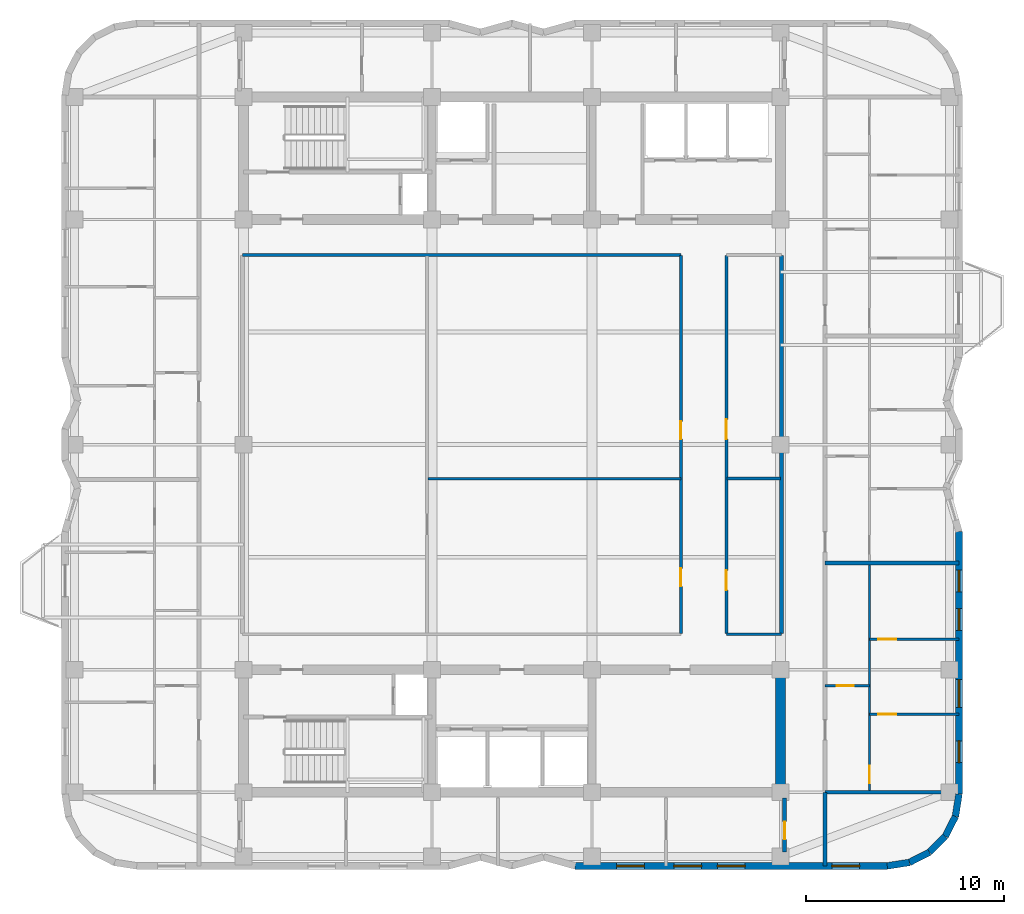
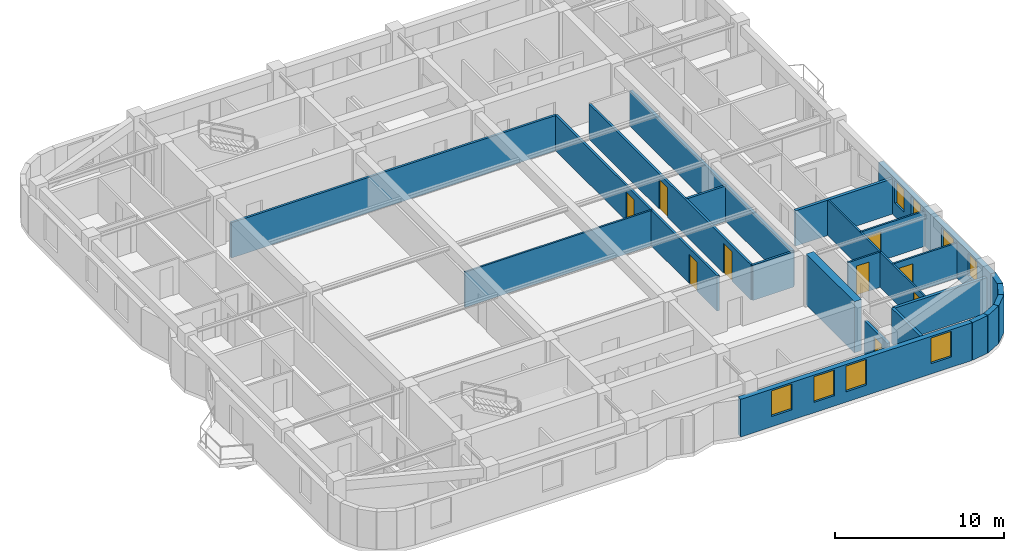
# One storey, part 4 of 9: 23 walls, 9 doors, 8 windows, 17 openings.
"""IFC4 building model written with IfcOpenShell, lengths in metres."""

import ifcopenshell
import ifcopenshell.guid

model = None  # the IFC model being written
_history = None  # IfcOwnerHistory: only IFC2X3 demands one
_inside = {}  # id of a spatial element -> (the spatial element, [elements in it])
_under = {}  # id of a project, library or spatial element -> (it, [spatial elements below it])
_declared = {}  # id of a project -> (the project, [libraries it declares])
_typed = {}  # id of a type object -> (the type object, [elements of that type])
_made_of = {}  # id of a material, layer set ... -> (it, [elements and type objects made of it])


def new_model(schema):
    """Start an empty IFC model of exactly this schema.

    Asked for "IFC4X3", IfcOpenShell would pick the latest addendum, in which some entities
    have other attributes; the version numbers below select the first issue.
    IFC2X3 requires an IfcOwnerHistory on every rooted entity: one is made here for all.
    """
    global model, _history
    if schema == "IFC4X3":
        model = ifcopenshell.file(schema_version=(4, 3, 0, 0))
    else:
        model = ifcopenshell.file(schema=schema)
    _inside.clear()
    _under.clear()
    _declared.clear()
    _typed.clear()
    _made_of.clear()
    _history = None
    if model.schema == "IFC2X3":
        org = make("IfcOrganization", Name="unknown")
        user = make(
            "IfcPersonAndOrganization",
            ThePerson=make("IfcPerson", FamilyName="unknown"),
            TheOrganization=org,
        )
        app = make(
            "IfcApplication",
            ApplicationDeveloper=org,
            Version="unknown",
            ApplicationFullName="unknown",
            ApplicationIdentifier="unknown",
        )
        _history = make(
            "IfcOwnerHistory",
            OwningUser=user,
            OwningApplication=app,
            ChangeAction="ADDED",
            CreationDate=0,
        )
    return model


def make(cls, **values):
    """One entity of the class cls with the attributes given. An attribute that is None is left unset."""
    return model.create_entity(
        cls, **{name: value for name, value in values.items() if value is not None}
    )


def rooted(cls, **values):
    """An entity with a GlobalId (a new one), such as an element, a storey or a relation."""
    return make(cls, GlobalId=ifcopenshell.guid.new(), OwnerHistory=_history, **values)


def si_unit(unit_type, name, prefix=None):
    """IfcSIUnit, for example si_unit("LENGTHUNIT", "METRE", prefix="MILLI")."""
    return make("IfcSIUnit", UnitType=unit_type, Prefix=prefix, Name=name)


def assignment(units):
    """IfcUnitAssignment: the units of a project."""
    return None if units is None else make("IfcUnitAssignment", Units=units)


def point(xyz):
    """IfcCartesianPoint."""
    return None if xyz is None else make("IfcCartesianPoint", Coordinates=xyz)


def direction(xyz):
    """IfcDirection."""
    return None if xyz is None else make("IfcDirection", DirectionRatios=xyz)


def frame(location, z_axis=None, x_axis=None):
    """IfcAxis2Placement3D, a coordinate frame: its origin and axes. An axis left out is left unset."""
    return make(
        "IfcAxis2Placement3D",
        Location=point(location),
        Axis=direction(z_axis),
        RefDirection=direction(x_axis),
    )


def frame_2d(location, x_axis=None):
    """IfcAxis2Placement2D, a coordinate frame in the plane: its origin and x axis."""
    return make(
        "IfcAxis2Placement2D", Location=point(location), RefDirection=direction(x_axis)
    )


def origin():
    """The frame at (0, 0, 0) with its axes left unset."""
    return frame((0.0, 0.0, 0.0))


def place(relative_to, where):
    """IfcLocalPlacement: puts the frame where relative to a parent placement (None: the world)."""
    return make(
        "IfcLocalPlacement", PlacementRelTo=relative_to, RelativePlacement=where
    )


def context(
    kind, dimensions, precision=None, world=None, true_north=None, identifier=None
):
    """IfcGeometricRepresentationContext, for example the 3D "Model" context."""
    return make(
        "IfcGeometricRepresentationContext",
        ContextIdentifier=identifier,
        ContextType=kind,
        CoordinateSpaceDimension=dimensions,
        Precision=precision,
        WorldCoordinateSystem=world,
        TrueNorth=true_north,
    )


def subcontext(parent, identifier, kind, view, scale=None):
    """IfcGeometricRepresentationSubContext, for example "Body" below "Model"."""
    return make(
        "IfcGeometricRepresentationSubContext",
        ContextIdentifier=identifier,
        ContextType=kind,
        ParentContext=parent,
        TargetScale=scale,
        TargetView=view,
    )


def project(units=None, contexts=None):
    """IfcProject with its units and contexts."""
    return rooted(
        "IfcProject",
        Name="project",
        RepresentationContexts=contexts,
        UnitsInContext=assignment(units),
    )


def spatial(cls, under=None, at=None, **own):
    """A site, building, storey or space (cls), placed at a placement, below another one or the project."""
    s = rooted(cls, ObjectPlacement=at, **own)
    if under is not None:
        _under.setdefault(under.id(), (under, []))[1].append(s)
    return s


def profile(cls, at=None, kind="AREA", **sizes):
    """A parametric profile (cls). Its sizes go by their IFC names, for example OverallWidth=200.0."""
    return make(cls, ProfileType=kind, Position=at, **sizes)


def rectangle(**sizes):
    """IfcRectangleProfileDef."""
    return profile("IfcRectangleProfileDef", **sizes)


def extrude(swept, where, along, depth):
    """IfcExtrudedAreaSolid: the profile swept, set in the frame where, extruded along a direction by depth."""
    return make(
        "IfcExtrudedAreaSolid",
        SweptArea=swept,
        Position=where,
        ExtrudedDirection=direction(along),
        Depth=depth,
    )


def shape(context_of_items, identifier, shape_type, items):
    """IfcShapeRepresentation: the items that make up one representation, for example the "Body"."""
    return make(
        "IfcShapeRepresentation",
        ContextOfItems=context_of_items,
        RepresentationIdentifier=identifier,
        RepresentationType=shape_type,
        Items=items,
    )


def material(Name=None, Category=None):
    """IfcMaterial."""
    return make("IfcMaterial", Name=Name, Category=Category)


def layer(
    of_material, thickness, ventilated=None, Name=None, Category=None, Priority=None
):
    """IfcMaterialLayer: one layer of a wall or slab, of a material (None: an air gap)."""
    return make(
        "IfcMaterialLayer",
        Material=of_material,
        LayerThickness=thickness,
        IsVentilated=ventilated,
        Name=Name,
        Category=Category,
        Priority=Priority,
    )


def layer_set(layers, Name=None):
    """IfcMaterialLayerSet."""
    return make("IfcMaterialLayerSet", MaterialLayers=layers, LayerSetName=Name)


def made_of(thing, what):
    """Note that an element or type object is made of a material, layer set ...; save() writes the relation."""
    if what is not None:
        _made_of.setdefault(what.id(), (what, []))[1].append(thing)
    return thing


def type_object(cls, material=None, **own):
    """A type object (cls), such as IfcWallType, which elements share."""
    return made_of(rooted(cls, **own), material)


def element(
    cls,
    number,
    at=None,
    inside=None,
    cuts=None,
    type_object=None,
    material=None,
    context=None,
    identifier="Body",
    shape_type=None,
    held_by="IfcProductDefinitionShape",
    body=None,
    shapes=None,
    **own,
):
    """One element of the class cls, such as IfcWall. Its Tag is "e" and its number.

    at: its placement. inside: the storey or other place that contains it. cuts: it is an
    opening in that element (IfcRelVoidsElement). A single representation is given by context,
    identifier, shape_type and body (its items); several are given by shapes. held_by: the class
    of the entity that holds the representations. save() writes the other relations.
    """
    e = rooted(cls, Tag="e%d" % number, ObjectPlacement=at, **own)
    if body is not None:
        shapes = [shape(context, identifier, shape_type, body)]
    if shapes is not None:
        e.Representation = make(held_by, Representations=shapes)
    if inside is not None:
        _inside.setdefault(inside.id(), (inside, []))[1].append(e)
    if cuts is not None:
        rooted(
            "IfcRelVoidsElement", RelatingBuildingElement=cuts, RelatedOpeningElement=e
        )
    if type_object is not None:
        _typed.setdefault(type_object.id(), (type_object, []))[1].append(e)
    return made_of(e, material)


def fill(opening, filler):
    """IfcRelFillsElement: the door or window that sits in an opening."""
    return rooted(
        "IfcRelFillsElement",
        RelatingOpeningElement=opening,
        RelatedBuildingElement=filler,
    )


def aggregate(whole, parts):
    """IfcRelAggregates: a whole, such as a stair, and the parts it consists of."""
    return rooted("IfcRelAggregates", RelatingObject=whole, RelatedObjects=parts)


def save(model, path):
    """Write the relations noted so far, then the file.

    IfcRelAggregates (storeys below a building ...), IfcRelContainedInSpatialStructure (elements
    in a storey), IfcRelDefinesByType, IfcRelAssociatesMaterial and IfcRelDeclares: one each for
    every whole, place, type object, material and project.
    """
    for whole, parts in _under.values():
        aggregate(whole, parts)
    for where, things in _inside.values():
        rooted(
            "IfcRelContainedInSpatialStructure",
            RelatedElements=things,
            RelatingStructure=where,
        )
    for kind, things in _typed.values():
        rooted("IfcRelDefinesByType", RelatedObjects=things, RelatingType=kind)
    for what, things in _made_of.values():
        rooted("IfcRelAssociatesMaterial", RelatedObjects=things, RelatingMaterial=what)
    for by, libraries in _declared.values():
        rooted("IfcRelDeclares", RelatingContext=by, RelatedDefinitions=libraries)
    model.write(path)


model = new_model("IFC4")

# Units and contexts
model_context = context("Model", 3, precision=1e-05, world=origin(), true_north=direction((0.0, 1.0)))
body_context = subcontext(model_context, "Body", "Model", "MODEL_VIEW")
ifc_project = project(units=[si_unit("LENGTHUNIT", "METRE"), si_unit("AREAUNIT", "SQUARE_METRE"), si_unit("VOLUMEUNIT", "CUBIC_METRE"), si_unit("PLANEANGLEUNIT", "RADIAN"), si_unit("MASSUNIT", "GRAM", prefix="KILO")], contexts=[model_context])

# Site, building, storey
site_placement = place(None, origin())
site = spatial("IfcSite", under=ifc_project, at=site_placement, CompositionType="ELEMENT")
building_placement = place(site_placement, origin())
building = spatial("IfcBuilding", under=site, at=building_placement, Name="Svetorya Sky Lyceum", CompositionType="ELEMENT")
storey_placement = place(building_placement, frame((0.0, 0.0, 211.0)))
storey = spatial("IfcBuildingStorey", under=building, at=storey_placement, Name="L52", CompositionType="ELEMENT", Elevation=211.0)

# Wall
ifc_material_1 = material(Name="Concrete C50/60", Category="concrete")
ifc_layer_1 = layer(ifc_material_1, 0.5)
ifc_layer_set_1 = layer_set([ifc_layer_1], Name="Concrete C50/60")
wall_type_1 = type_object("IfcWallType", Name="WL-CORE-500", PredefinedType="SHEAR", material=ifc_layer_set_1)
wall_1_placement = place(storey_placement, frame((52.800048828125, 10.85009765625, 0.0), z_axis=(0.0, 0.0, 1.0), x_axis=(0.0, 1.0, 0.0)))
element("IfcWall", 1, at=wall_1_placement, inside=storey, type_object=wall_type_1, Name="L52 SC East Core Shear Wall", PredefinedType="SHEAR", context=body_context, shape_type="SweptSolid", body=[
    extrude(rectangle(XDim=5.699951171875, YDim=0.5, at=frame_2d((2.85009765625, 0.0))), origin(), (0.0, 0.0, 1.0), 3.699951171875),
])

# Wall, openings, windows
ifc_material_2 = material(Name="Putilovo limestone rainscreen on autoclaved cellular masonry", Category="masonry")
ifc_layer_2 = layer(ifc_material_2, 0.340087890625)
ifc_layer_set_2 = layer_set([ifc_layer_2], Name="Putilovo limestone rainscreen on autoclaved cellular masonry")
wall_type_2 = type_object("IfcWallType", Name="WL-EXT-340", PredefinedType="SOLIDWALL", material=ifc_layer_set_2)
wall_2_placement = place(storey_placement, frame((42.39990234375, 6.8701171875, 0.0), z_axis=(0.0, 0.0, 1.0), x_axis=(1.0, 0.0, 0.0)))
wall_2 = element("IfcWall", 2, at=wall_2_placement, inside=storey, type_object=wall_type_2, Name="L52 Limestone Exterior Wall 11M", PredefinedType="SOLIDWALL", context=body_context, shape_type="SweptSolid", body=[
    extrude(rectangle(XDim=15.800048828125, YDim=0.340087890625, at=frame_2d((7.89990234375, 0.0))), origin(), (0.0, 0.0, 1.0), 2.719970703125),
])
opening_1_placement = place(wall_2_placement, frame((2.10009765625, 0.0, 0.75)))
opening_1 = element("IfcOpeningElement", 3, at=opening_1_placement, cuts=wall_2, Name="Opening W-R2", PredefinedType="OPENING", context=body_context, shape_type="SweptSolid", body=[
    extrude(rectangle(XDim=1.39990234375, YDim=1.85009765625, at=frame_2d((0.699951171875, 0.925048828125))), frame((0.0, 0.179931640625, 0.0), z_axis=(0.0, -1.0, 0.0), x_axis=(1.0, 0.0, 0.0)), (0.0, 0.0, 1.0), 0.360107421875),
])
opening_2_placement = place(wall_2_placement, frame((5.0, 0.0, 0.75)))
opening_2 = element("IfcOpeningElement", 4, at=opening_2_placement, cuts=wall_2, Name="Opening W-R2", PredefinedType="OPENING", context=body_context, shape_type="SweptSolid", body=[
    extrude(rectangle(XDim=1.39990234375, YDim=1.85009765625, at=frame_2d((0.699951171875, 0.925048828125))), frame((0.0, 0.179931640625, 0.0), z_axis=(0.0, -1.0, 0.0), x_axis=(1.0, 0.0, 0.0)), (0.0, 0.0, 1.0), 0.360107421875),
])
opening_3_placement = place(wall_2_placement, frame((7.199951171875, 0.0, 0.75)))
opening_3 = element("IfcOpeningElement", 5, at=opening_3_placement, cuts=wall_2, Name="Opening W-R2", PredefinedType="OPENING", context=body_context, shape_type="SweptSolid", body=[
    extrude(rectangle(XDim=1.39990234375, YDim=1.85009765625, at=frame_2d((0.699951171875, 0.925048828125))), frame((0.0, 0.179931640625, 0.0), z_axis=(0.0, -1.0, 0.0), x_axis=(1.0, 0.0, 0.0)), (0.0, 0.0, 1.0), 0.360107421875),
])
opening_4_placement = place(wall_2_placement, frame((13.0, 0.0, 0.75)))
opening_4 = element("IfcOpeningElement", 6, at=opening_4_placement, cuts=wall_2, Name="Opening W-R2", PredefinedType="OPENING", context=body_context, shape_type="SweptSolid", body=[
    extrude(rectangle(XDim=1.39990234375, YDim=1.85009765625, at=frame_2d((0.699951171875, 0.925048828125))), frame((0.0, 0.179931640625, 0.0), z_axis=(0.0, -1.0, 0.0), x_axis=(1.0, 0.0, 0.0)), (0.0, 0.0, 1.0), 0.360107421875),
])
ifc_material_3 = material(Name="Thermally broken aluminium frame with triple low-E glazing", Category="aluminium")
window_type_1 = type_object("IfcWindowType", Name="WN-RES-140", PartitioningType="SINGLE_PANEL", PredefinedType="WINDOW", material=ifc_material_3)
window_1_placement = place(opening_1_placement, origin())
window_1 = element("IfcWindow", 7, at=window_1_placement, inside=storey, type_object=window_type_1, Name="L52 Facade Window W-R2.11M.1", OverallHeight=1.85009765625, OverallWidth=1.39990234375, PartitioningType="SINGLE_PANEL", PredefinedType="WINDOW", context=body_context, shape_type="SweptSolid", body=[
    extrude(rectangle(XDim=1.39990234375, YDim=1.85009765625, at=frame_2d((0.699951171875, 0.925048828125))), frame((0.0, 0.030029296875, 0.0), z_axis=(0.0, -1.0, 0.0), x_axis=(1.0, 0.0, 0.0)), (0.0, 0.0, 1.0), 0.06005859375),
])
fill(opening_1, window_1)
window_2_placement = place(opening_2_placement, origin())
window_2 = element("IfcWindow", 8, at=window_2_placement, inside=storey, type_object=window_type_1, Name="L52 Facade Window W-R2.11M.2", OverallHeight=1.85009765625, OverallWidth=1.39990234375, PartitioningType="SINGLE_PANEL", PredefinedType="WINDOW", context=body_context, shape_type="SweptSolid", body=[
    extrude(rectangle(XDim=1.39990234375, YDim=1.85009765625, at=frame_2d((0.699951171875, 0.925048828125))), frame((0.0, 0.030029296875, 0.0), z_axis=(0.0, -1.0, 0.0), x_axis=(1.0, 0.0, 0.0)), (0.0, 0.0, 1.0), 0.06005859375),
])
fill(opening_2, window_2)
window_3_placement = place(opening_3_placement, origin())
window_3 = element("IfcWindow", 9, at=window_3_placement, inside=storey, type_object=window_type_1, Name="L52 Facade Window W-R2.11M.3", OverallHeight=1.85009765625, OverallWidth=1.39990234375, PartitioningType="SINGLE_PANEL", PredefinedType="WINDOW", context=body_context, shape_type="SweptSolid", body=[
    extrude(rectangle(XDim=1.39990234375, YDim=1.85009765625, at=frame_2d((0.699951171875, 0.925048828125))), frame((0.0, 0.030029296875, 0.0), z_axis=(0.0, -1.0, 0.0), x_axis=(1.0, 0.0, 0.0)), (0.0, 0.0, 1.0), 0.06005859375),
])
fill(opening_3, window_3)
window_4_placement = place(opening_4_placement, origin())
window_4 = element("IfcWindow", 10, at=window_4_placement, inside=storey, type_object=window_type_1, Name="L52 Facade Window W-R2.11M.4", OverallHeight=1.85009765625, OverallWidth=1.39990234375, PartitioningType="SINGLE_PANEL", PredefinedType="WINDOW", context=body_context, shape_type="SweptSolid", body=[
    extrude(rectangle(XDim=1.39990234375, YDim=1.85009765625, at=frame_2d((0.699951171875, 0.925048828125))), frame((0.0, 0.030029296875, 0.0), z_axis=(0.0, -1.0, 0.0), x_axis=(1.0, 0.0, 0.0)), (0.0, 0.0, 1.0), 0.06005859375),
])
fill(opening_4, window_4)

# Walls
for number, where, z_axis, x_axis, name in (
    (11, (58.199951171875, 6.8701171875, 0.0), (0.0, 0.0, 1.0), (0.987714116584, 0.156271634985, 0.0), "L52 Limestone Exterior Wall 12M"),
    (12, (59.32177734375, 7.047607421875, 0.0), (0.0, 0.0, 1.0), (0.891005044957, 0.453993402883, 0.0), "L52 Limestone Exterior Wall 13M"),
):
    element("IfcWall", number, at=place(storey_placement, frame(where, z_axis=z_axis, x_axis=x_axis)), inside=storey, type_object=wall_type_2, Name=name, PredefinedType="SOLIDWALL", context=body_context, shape_type="SweptSolid", body=[
        extrude(rectangle(XDim=1.1357421875, YDim=0.340087890625, at=frame_2d((0.56787109375, 0.0))), origin(), (0.0, 0.0, 1.0), 2.719970703125),
    ])
wall_3_placement = place(storey_placement, frame((60.333740234375, 7.563232421875, 0.0), z_axis=(0.0, 0.0, 1.0), x_axis=(0.707106781187, 0.707106781187, 0.0)))
element("IfcWall", 13, at=wall_3_placement, inside=storey, type_object=wall_type_2, Name="L52 Limestone Exterior Wall 14M", PredefinedType="SOLIDWALL", context=body_context, shape_type="SweptSolid", body=[
    extrude(rectangle(XDim=1.135498046875, YDim=0.340087890625, at=frame_2d((0.56787109375, 0.0))), origin(), (0.0, 0.0, 1.0), 2.719970703125),
])
wall_4_placement = place(storey_placement, frame((61.13671875, 8.3662109375, 0.0), z_axis=(0.0, 0.0, 1.0), x_axis=(0.45390646422, 0.891049337433, 0.0)))
element("IfcWall", 14, at=wall_4_placement, inside=storey, type_object=wall_type_2, Name="L52 Limestone Exterior Wall 15M", PredefinedType="SOLIDWALL", context=body_context, shape_type="SweptSolid", body=[
    extrude(rectangle(XDim=1.135986328125, YDim=0.340087890625, at=frame_2d((0.56787109375, 0.0))), origin(), (0.0, 0.0, 1.0), 2.719970703125),
])
wall_5_placement = place(storey_placement, frame((61.65234375, 9.37841796875, 0.0), z_axis=(0.0, 0.0, 1.0), x_axis=(0.156514556949, 0.987675651954, 0.0)))
element("IfcWall", 15, at=wall_5_placement, inside=storey, type_object=wall_type_2, Name="L52 Limestone Exterior Wall 16M", PredefinedType="SOLIDWALL", context=body_context, shape_type="SweptSolid", body=[
    extrude(rectangle(XDim=1.135498046875, YDim=0.340087890625, at=frame_2d((0.56787109375, 0.0))), origin(), (0.0, 0.0, 1.0), 2.719970703125),
])

# Wall, openings, windows
wall_6_placement = place(storey_placement, frame((61.830078125, 10.5, 0.0), z_axis=(0.0, 0.0, 1.0), x_axis=(0.0, 1.0, 0.0)))
wall_6 = element("IfcWall", 16, at=wall_6_placement, inside=storey, type_object=wall_type_2, Name="L52 Limestone Exterior Wall 17M", PredefinedType="SOLIDWALL", context=body_context, shape_type="SweptSolid", body=[
    extrude(rectangle(XDim=13.300048828125, YDim=0.340087890625, at=frame_2d((6.64990234375, 0.0))), origin(), (0.0, 0.0, 1.0), 2.719970703125),
])
opening_5_placement = place(wall_6_placement, frame((1.60009765625, 0.0, 0.949951171875)))
opening_5 = element("IfcOpeningElement", 17, at=opening_5_placement, cuts=wall_6, Name="Opening W-R3", PredefinedType="OPENING", context=body_context, shape_type="SweptSolid", body=[
    extrude(rectangle(XDim=1.10009765625, YDim=1.64990234375, at=frame_2d((0.550048828125, 0.824951171875))), frame((0.0, 0.179931640625, 0.0), z_axis=(0.0, -1.0, 0.0), x_axis=(1.0, 0.0, 0.0)), (0.0, 0.0, 1.0), 0.360107421875),
])
opening_6_placement = place(wall_6_placement, frame((4.39990234375, 0.0, 0.7099609375)))
opening_6 = element("IfcOpeningElement", 18, at=opening_6_placement, cuts=wall_6, Name="Opening W-R2", PredefinedType="OPENING", context=body_context, shape_type="SweptSolid", body=[
    extrude(rectangle(XDim=1.39990234375, YDim=1.85009765625, at=frame_2d((0.699951171875, 0.925048828125))), frame((0.0, 0.179931640625, 0.0), z_axis=(0.0, -1.0, 0.0), x_axis=(1.0, 0.0, 0.0)), (0.0, 0.0, 1.0), 0.360107421875),
])
opening_7_placement = place(wall_6_placement, frame((8.300048828125, 0.0, 0.949951171875)))
opening_7 = element("IfcOpeningElement", 19, at=opening_7_placement, cuts=wall_6, Name="Opening W-R3", PredefinedType="OPENING", context=body_context, shape_type="SweptSolid", body=[
    extrude(rectangle(XDim=1.10009765625, YDim=1.64990234375, at=frame_2d((0.550048828125, 0.824951171875))), frame((0.0, 0.179931640625, 0.0), z_axis=(0.0, -1.0, 0.0), x_axis=(1.0, 0.0, 0.0)), (0.0, 0.0, 1.0), 0.360107421875),
])
opening_8_placement = place(wall_6_placement, frame((10.25, 0.0, 0.949951171875)))
opening_8 = element("IfcOpeningElement", 20, at=opening_8_placement, cuts=wall_6, Name="Opening W-R3", PredefinedType="OPENING", context=body_context, shape_type="SweptSolid", body=[
    extrude(rectangle(XDim=1.10009765625, YDim=1.64990234375, at=frame_2d((0.550048828125, 0.824951171875))), frame((0.0, 0.179931640625, 0.0), z_axis=(0.0, -1.0, 0.0), x_axis=(1.0, 0.0, 0.0)), (0.0, 0.0, 1.0), 0.360107421875),
])
window_type_2 = type_object("IfcWindowType", Name="WN-RES-110", PartitioningType="SINGLE_PANEL", PredefinedType="WINDOW", material=ifc_material_3)
window_5_placement = place(opening_5_placement, origin())
window_5 = element("IfcWindow", 21, at=window_5_placement, inside=storey, type_object=window_type_2, Name="L52 Facade Window W-R3.17M.1", OverallHeight=1.64990234375, OverallWidth=1.10009765625, PartitioningType="SINGLE_PANEL", PredefinedType="WINDOW", context=body_context, shape_type="SweptSolid", body=[
    extrude(rectangle(XDim=1.10009765625, YDim=1.64990234375, at=frame_2d((0.550048828125, 0.824951171875))), frame((0.0, 0.030029296875, 0.0), z_axis=(0.0, -1.0, 0.0), x_axis=(1.0, 0.0, 0.0)), (0.0, 0.0, 1.0), 0.06005859375),
])
fill(opening_5, window_5)
window_6_placement = place(opening_7_placement, origin())
window_6 = element("IfcWindow", 22, at=window_6_placement, inside=storey, type_object=window_type_2, Name="L52 Facade Window W-R3.17M.2", OverallHeight=1.64990234375, OverallWidth=1.10009765625, PartitioningType="SINGLE_PANEL", PredefinedType="WINDOW", context=body_context, shape_type="SweptSolid", body=[
    extrude(rectangle(XDim=1.10009765625, YDim=1.64990234375, at=frame_2d((0.550048828125, 0.824951171875))), frame((0.0, 0.030029296875, 0.0), z_axis=(0.0, -1.0, 0.0), x_axis=(1.0, 0.0, 0.0)), (0.0, 0.0, 1.0), 0.06005859375),
])
fill(opening_7, window_6)
window_7_placement = place(opening_8_placement, origin())
window_7 = element("IfcWindow", 23, at=window_7_placement, inside=storey, type_object=window_type_2, Name="L52 Facade Window W-R3.17M.3", OverallHeight=1.64990234375, OverallWidth=1.10009765625, PartitioningType="SINGLE_PANEL", PredefinedType="WINDOW", context=body_context, shape_type="SweptSolid", body=[
    extrude(rectangle(XDim=1.10009765625, YDim=1.64990234375, at=frame_2d((0.550048828125, 0.824951171875))), frame((0.0, 0.030029296875, 0.0), z_axis=(0.0, -1.0, 0.0), x_axis=(1.0, 0.0, 0.0)), (0.0, 0.0, 1.0), 0.06005859375),
])
fill(opening_8, window_7)
window_8_placement = place(opening_6_placement, origin())
window_8 = element("IfcWindow", 24, at=window_8_placement, inside=storey, type_object=window_type_1, Name="L52 Facade Window W-R2.17M.4", OverallHeight=1.85009765625, OverallWidth=1.39990234375, PartitioningType="SINGLE_PANEL", PredefinedType="WINDOW", context=body_context, shape_type="SweptSolid", body=[
    extrude(rectangle(XDim=1.39990234375, YDim=1.85009765625, at=frame_2d((0.699951171875, 0.925048828125))), frame((0.0, 0.030029296875, 0.0), z_axis=(0.0, -1.0, 0.0), x_axis=(1.0, 0.0, 0.0)), (0.0, 0.0, 1.0), 0.06005859375),
])
fill(opening_6, window_8)

# Wall
ifc_material_4 = material(Name="Twin-stud galvanized framing with double fireboard", Category="gypsum")
ifc_layer_3 = layer(ifc_material_4, 0.1201171875)
ifc_layer_set_3 = layer_set([ifc_layer_3], Name="Twin-stud galvanized framing with double fireboard")
wall_type_3 = type_object("IfcWallType", Name="WL-PART-120", PredefinedType="PARTITIONING", material=ifc_layer_set_3)
wall_7_placement = place(storey_placement, frame((34.949951171875, 26.477294921875, 0.0), z_axis=(0.0, 0.0, 1.0), x_axis=(1.0, 0.0, 0.0)))
element("IfcWall", 25, at=wall_7_placement, inside=storey, type_object=wall_type_3, Name="L52 Interior Partition OFF-WHM", PredefinedType="PARTITIONING", context=body_context, shape_type="SweptSolid", body=[
    extrude(rectangle(XDim=12.81005859375, YDim=0.1201171875, at=frame_2d((6.405029296875, 0.0))), origin(), (0.0, 0.0, 1.0), 2.550048828125),
])

# Wall, opening, door
wall_8_placement = place(storey_placement, frame((55.050048828125, 16.0, 0.0), z_axis=(0.0, 0.0, 1.0), x_axis=(1.0, 0.0, 0.0)))
wall_8 = element("IfcWall", 26, at=wall_8_placement, inside=storey, type_object=wall_type_3, Name="L52 Interior Partition E1-WH1", PredefinedType="PARTITIONING", context=body_context, shape_type="SweptSolid", body=[
    extrude(rectangle(XDim=2.25, YDim=0.1201171875, at=frame_2d((1.125, 0.0))), origin(), (0.0, 0.0, 1.0), 2.550048828125),
])
opening_9_placement = place(wall_8_placement, frame((0.60009765625, 0.0, 0.0)))
opening_9 = element("IfcOpeningElement", 27, at=opening_9_placement, cuts=wall_8, Name="Opening D-BT1", PredefinedType="OPENING", context=body_context, shape_type="SweptSolid", body=[
    extrude(rectangle(XDim=0.85009765625, YDim=2.10009765625, at=frame_2d((0.425048828125, 1.050048828125))), frame((0.0, 0.070068359375, 0.0), z_axis=(0.0, -1.0, 0.0), x_axis=(1.0, 0.0, 0.0)), (0.0, 0.0, 1.0), 0.14013671875),
])
ifc_material_5 = material(Name="Moisture-resistant laminate bathroom door")
door_type_1 = type_object("IfcDoorType", Name="DR-WET-850", OperationType="SINGLE_SWING_LEFT", PredefinedType="DOOR", material=ifc_material_5)
door_1_placement = place(opening_9_placement, origin())
door_1 = element("IfcDoor", 28, at=door_1_placement, inside=storey, type_object=door_type_1, Name="Apartment E1 Bathroom Door", OperationType="SINGLE_SWING_RIGHT", OverallHeight=2.10009765625, OverallWidth=0.85009765625, PredefinedType="DOOR", context=body_context, shape_type="SweptSolid", body=[
    extrude(rectangle(XDim=0.85009765625, YDim=2.10009765625, at=frame_2d((0.425048828125, 1.050048828125))), frame((0.0, 0.02490234375, 0.0), z_axis=(0.0, -1.0, 0.0), x_axis=(1.0, 0.0, 0.0)), (0.0, 0.0, 1.0), 0.050048828125),
])
fill(opening_9, door_1)

wall_9_placement = place(storey_placement, frame((57.300048828125, 14.550048828125, 0.0), z_axis=(0.0, 0.0, 1.0), x_axis=(1.0, 0.0, 0.0)))
wall_9 = element("IfcWall", 29, at=wall_9_placement, inside=storey, type_object=wall_type_3, Name="L52 Interior Partition E1-WL1", PredefinedType="PARTITIONING", context=body_context, shape_type="SweptSolid", body=[
    extrude(rectangle(XDim=4.530029296875, YDim=0.1201171875, at=frame_2d((2.26513671875, 0.0))), origin(), (0.0, 0.0, 1.0), 2.550048828125),
])
opening_10_placement = place(wall_9_placement, frame((0.449951171875, 0.0, 0.0)))
opening_10 = element("IfcOpeningElement", 30, at=opening_10_placement, cuts=wall_9, Name="Opening D-RM1", PredefinedType="OPENING", context=body_context, shape_type="SweptSolid", body=[
    extrude(rectangle(XDim=0.89990234375, YDim=2.10009765625, at=frame_2d((0.449951171875, 1.050048828125))), frame((0.0, 0.070068359375, 0.0), z_axis=(0.0, -1.0, 0.0), x_axis=(1.0, 0.0, 0.0)), (0.0, 0.0, 1.0), 0.14013671875),
])
ifc_material_6 = material(Name="Lacquered birch veneer internal door")
door_type_2 = type_object("IfcDoorType", Name="DR-INT-900", OperationType="SINGLE_SWING_LEFT", PredefinedType="DOOR", material=ifc_material_6)
door_2_placement = place(opening_10_placement, origin())
door_2 = element("IfcDoor", 31, at=door_2_placement, inside=storey, type_object=door_type_2, Name="Apartment E1 Master Bedroom Door", OperationType="SINGLE_SWING_RIGHT", OverallHeight=2.10009765625, OverallWidth=0.89990234375, PredefinedType="DOOR", context=body_context, shape_type="SweptSolid", body=[
    extrude(rectangle(XDim=0.89990234375, YDim=2.10009765625, at=frame_2d((0.449951171875, 1.050048828125))), frame((0.0, 0.02490234375, 0.0), z_axis=(0.0, -1.0, 0.0), x_axis=(1.0, 0.0, 0.0)), (0.0, 0.0, 1.0), 0.050048828125),
])
fill(opening_10, door_2)

wall_10_placement = place(storey_placement, frame((57.300048828125, 18.35009765625, 0.0), z_axis=(0.0, 0.0, 1.0), x_axis=(1.0, 0.0, 0.0)))
wall_10 = element("IfcWall", 32, at=wall_10_placement, inside=storey, type_object=wall_type_3, Name="L52 Interior Partition E1-WL2", PredefinedType="PARTITIONING", context=body_context, shape_type="SweptSolid", body=[
    extrude(rectangle(XDim=4.530029296875, YDim=0.1201171875, at=frame_2d((2.26513671875, 0.0))), origin(), (0.0, 0.0, 1.0), 2.550048828125),
])
opening_11_placement = place(wall_10_placement, frame((0.449951171875, 0.0, 0.0)))
opening_11 = element("IfcOpeningElement", 33, at=opening_11_placement, cuts=wall_10, Name="Opening D-RM1", PredefinedType="OPENING", context=body_context, shape_type="SweptSolid", body=[
    extrude(rectangle(XDim=0.89990234375, YDim=2.10009765625, at=frame_2d((0.449951171875, 1.050048828125))), frame((0.0, 0.070068359375, 0.0), z_axis=(0.0, -1.0, 0.0), x_axis=(1.0, 0.0, 0.0)), (0.0, 0.0, 1.0), 0.14013671875),
])
door_3_placement = place(opening_11_placement, origin())
door_3 = element("IfcDoor", 34, at=door_3_placement, inside=storey, type_object=door_type_2, Name="Apartment E1 Bedroom 2 Door", OperationType="SINGLE_SWING_LEFT", OverallHeight=2.10009765625, OverallWidth=0.89990234375, PredefinedType="DOOR", context=body_context, shape_type="SweptSolid", body=[
    extrude(rectangle(XDim=0.89990234375, YDim=2.10009765625, at=frame_2d((0.449951171875, 1.050048828125))), frame((0.0, 0.02490234375, 0.0), z_axis=(0.0, -1.0, 0.0), x_axis=(1.0, 0.0, 0.0)), (0.0, 0.0, 1.0), 0.050048828125),
])
fill(opening_11, door_3)

wall_11_placement = place(storey_placement, frame((57.300048828125, 10.639892578125, 0.0), z_axis=(0.0, 0.0, 1.0), x_axis=(0.0, 1.0, 0.0)))
wall_11 = element("IfcWall", 35, at=wall_11_placement, inside=storey, type_object=wall_type_3, Name="L52 Interior Partition E1-WV", PredefinedType="PARTITIONING", context=body_context, shape_type="SweptSolid", body=[
    extrude(rectangle(XDim=11.5361328125, YDim=0.1201171875, at=frame_2d((5.76806640625, 0.0))), origin(), (0.0, 0.0, 1.0), 2.550048828125),
])
opening_12_placement = place(wall_11_placement, frame((0.409912109375, 0.0, 0.0)))
opening_12 = element("IfcOpeningElement", 36, at=opening_12_placement, cuts=wall_11, Name="Opening D-RM1", PredefinedType="OPENING", context=body_context, shape_type="SweptSolid", body=[
    extrude(rectangle(XDim=0.89990234375, YDim=2.10009765625, at=frame_2d((0.449951171875, 1.050048828125))), frame((0.0, 0.070068359375, 0.0), z_axis=(0.0, -1.0, 0.0), x_axis=(1.0, 0.0, 0.0)), (0.0, 0.0, 1.0), 0.14013671875),
])
door_4_placement = place(opening_12_placement, origin())
door_4 = element("IfcDoor", 37, at=door_4_placement, inside=storey, type_object=door_type_2, Name="Apartment E1 Living Door", OperationType="SINGLE_SWING_LEFT", OverallHeight=2.10009765625, OverallWidth=0.89990234375, PredefinedType="DOOR", context=body_context, shape_type="SweptSolid", body=[
    extrude(rectangle(XDim=0.89990234375, YDim=2.10009765625, at=frame_2d((0.449951171875, 1.050048828125))), frame((0.0, 0.02490234375, 0.0), z_axis=(0.0, -1.0, 0.0), x_axis=(1.0, 0.0, 0.0)), (0.0, 0.0, 1.0), 0.050048828125),
])
fill(opening_12, door_4)

# Walls
ifc_material_7 = material(Name="Autoclaved cellular masonry blockwork with acoustic render", Category="masonry")
ifc_layer_4 = layer(ifc_material_7, 0.14990234375)
ifc_layer_set_4 = layer_set([ifc_layer_4], Name="Autoclaved cellular masonry blockwork with acoustic render")
wall_type_4 = type_object("IfcWallType", Name="WL-PART-150", PredefinedType="PARTITIONING", material=ifc_layer_set_4)
wall_12_placement = place(storey_placement, frame((50.050048828125, 18.60009765625, 0.0), z_axis=(0.0, 0.0, 1.0), x_axis=(1.0, 0.0, 0.0)))
element("IfcWall", 38, at=wall_12_placement, inside=storey, type_object=wall_type_4, Name="L52 Interior Partition OFF-CS-E", PredefinedType="PARTITIONING", context=body_context, shape_type="SweptSolid", body=[
    extrude(rectangle(XDim=2.800048828125, YDim=0.14990234375, at=frame_2d((1.39990234375, 0.0))), origin(), (0.0, 0.0, 1.0), 2.550048828125),
])
wall_13_placement = place(storey_placement, frame((25.550048828125, 37.800048828125, 0.0), z_axis=(0.0, 0.0, 1.0), x_axis=(1.0, 0.0, 0.0)))
element("IfcWall", 39, at=wall_13_placement, inside=storey, type_object=wall_type_4, Name="L52 Interior Partition OFF-CN-W", PredefinedType="PARTITIONING", context=body_context, shape_type="SweptSolid", body=[
    extrude(rectangle(XDim=22.199951171875, YDim=0.14990234375, at=frame_2d((11.10009765625, 0.0))), origin(), (0.0, 0.0, 1.0), 2.550048828125),
])
wall_14_placement = place(storey_placement, frame((50.080078125, 26.477294921875, 0.0), z_axis=(0.0, 0.0, 1.0), x_axis=(1.0, 0.0, 0.0)))
element("IfcWall", 40, at=wall_14_placement, inside=storey, type_object=wall_type_4, Name="L52 Interior Partition OFF-HE", PredefinedType="PARTITIONING", context=body_context, shape_type="SweptSolid", body=[
    extrude(rectangle(XDim=2.719970703125, YDim=0.14990234375, at=frame_2d((1.35986328125, 0.0))), origin(), (0.0, 0.0, 1.0), 2.550048828125),
])

# Wall, openings, doors
wall_15_placement = place(storey_placement, frame((47.75, 18.6298828125, 0.0), z_axis=(0.0, 0.0, 1.0), x_axis=(0.0, 1.0, 0.0)))
wall_15 = element("IfcWall", 41, at=wall_15_placement, inside=storey, type_object=wall_type_4, Name="L52 Interior Partition OFF-VW", PredefinedType="PARTITIONING", context=body_context, shape_type="SweptSolid", body=[
    extrude(rectangle(XDim=19.14013671875, YDim=0.14990234375, at=frame_2d((9.570068359375, 0.0))), origin(), (0.0, 0.0, 1.0), 2.550048828125),
])
opening_13_placement = place(wall_15_placement, frame((2.39990234375, 0.0, 0.0)))
opening_13 = element("IfcOpeningElement", 42, at=opening_13_placement, cuts=wall_15, Name="Opening D-RM1", PredefinedType="OPENING", context=body_context, shape_type="SweptSolid", body=[
    extrude(rectangle(XDim=0.89990234375, YDim=2.10009765625, at=frame_2d((0.449951171875, 1.050048828125))), frame((0.0, 0.0849609375, 0.0), z_axis=(0.0, -1.0, 0.0), x_axis=(1.0, 0.0, 0.0)), (0.0, 0.0, 1.0), 0.169921875),
])
opening_14_placement = place(wall_15_placement, frame((9.847412109375, 0.0, 0.0)))
opening_14 = element("IfcOpeningElement", 43, at=opening_14_placement, cuts=wall_15, Name="Opening D-RM1", PredefinedType="OPENING", context=body_context, shape_type="SweptSolid", body=[
    extrude(rectangle(XDim=0.89990234375, YDim=2.10009765625, at=frame_2d((0.449951171875, 1.050048828125))), frame((0.0, 0.0849609375, 0.0), z_axis=(0.0, -1.0, 0.0), x_axis=(1.0, 0.0, 0.0)), (0.0, 0.0, 1.0), 0.169921875),
])
door_5_placement = place(opening_13_placement, origin())
door_5 = element("IfcDoor", 44, at=door_5_placement, inside=storey, type_object=door_type_2, Name="L52 Study Door", OperationType="SINGLE_SWING_LEFT", OverallHeight=2.10009765625, OverallWidth=0.89990234375, PredefinedType="DOOR", context=body_context, shape_type="SweptSolid", body=[
    extrude(rectangle(XDim=0.89990234375, YDim=2.10009765625, at=frame_2d((0.449951171875, 1.050048828125))), frame((0.0, 0.02490234375, 0.0), z_axis=(0.0, -1.0, 0.0), x_axis=(1.0, 0.0, 0.0)), (0.0, 0.0, 1.0), 0.050048828125),
])
fill(opening_13, door_5)
door_6_placement = place(opening_14_placement, origin())
door_6 = element("IfcDoor", 45, at=door_6_placement, inside=storey, type_object=door_type_2, Name="L52 Office Door", OperationType="SINGLE_SWING_RIGHT", OverallHeight=2.10009765625, OverallWidth=0.89990234375, PredefinedType="DOOR", context=body_context, shape_type="SweptSolid", body=[
    extrude(rectangle(XDim=0.89990234375, YDim=2.10009765625, at=frame_2d((0.449951171875, 1.050048828125))), frame((0.0, 0.02490234375, 0.0), z_axis=(0.0, -1.0, 0.0), x_axis=(1.0, 0.0, 0.0)), (0.0, 0.0, 1.0), 0.050048828125),
])
fill(opening_14, door_6)

wall_16_placement = place(storey_placement, frame((50.050048828125, 18.6298828125, 0.0), z_axis=(0.0, 0.0, 1.0), x_axis=(0.0, 1.0, 0.0)))
wall_16 = element("IfcWall", 46, at=wall_16_placement, inside=storey, type_object=wall_type_4, Name="L52 Interior Partition OFF-VE", PredefinedType="PARTITIONING", context=body_context, shape_type="SweptSolid", body=[
    extrude(rectangle(XDim=19.14013671875, YDim=0.14990234375, at=frame_2d((9.570068359375, 0.0))), origin(), (0.0, 0.0, 1.0), 2.550048828125),
])
opening_15_placement = place(wall_16_placement, frame((2.199951171875, 0.0, 0.0)))
opening_15 = element("IfcOpeningElement", 47, at=opening_15_placement, cuts=wall_16, Name="Opening D-RM2", PredefinedType="OPENING", context=body_context, shape_type="SweptSolid", body=[
    extrude(rectangle(XDim=1.0, YDim=2.14990234375, at=frame_2d((0.5, 1.074951171875))), frame((0.0, 0.0849609375, 0.0), z_axis=(0.0, -1.0, 0.0), x_axis=(1.0, 0.0, 0.0)), (0.0, 0.0, 1.0), 0.169921875),
])
opening_16_placement = place(wall_16_placement, frame((9.847412109375, 0.0, 0.0)))
opening_16 = element("IfcOpeningElement", 48, at=opening_16_placement, cuts=wall_16, Name="Opening D-RM2", PredefinedType="OPENING", context=body_context, shape_type="SweptSolid", body=[
    extrude(rectangle(XDim=1.0, YDim=2.14990234375, at=frame_2d((0.5, 1.074951171875))), frame((0.0, 0.0849609375, 0.0), z_axis=(0.0, -1.0, 0.0), x_axis=(1.0, 0.0, 0.0)), (0.0, 0.0, 1.0), 0.169921875),
])
ifc_material_8 = material(Name="Solid-core oak acoustic room door")
door_type_3 = type_object("IfcDoorType", Name="DR-INT-1000", OperationType="SINGLE_SWING_LEFT", PredefinedType="DOOR", material=ifc_material_8)
door_7_placement = place(opening_15_placement, origin())
door_7 = element("IfcDoor", 49, at=door_7_placement, inside=storey, type_object=door_type_3, Name="L52 Meeting Door", OperationType="SINGLE_SWING_RIGHT", OverallHeight=2.14990234375, OverallWidth=1.0, PredefinedType="DOOR", context=body_context, shape_type="SweptSolid", body=[
    extrude(rectangle(XDim=1.0, YDim=2.14990234375, at=frame_2d((0.5, 1.074951171875))), frame((0.0, 0.02490234375, 0.0), z_axis=(0.0, -1.0, 0.0), x_axis=(1.0, 0.0, 0.0)), (0.0, 0.0, 1.0), 0.050048828125),
])
fill(opening_15, door_7)
door_8_placement = place(opening_16_placement, origin())
door_8 = element("IfcDoor", 50, at=door_8_placement, inside=storey, type_object=door_type_3, Name="L52 North Room Door", OperationType="SINGLE_SWING_LEFT", OverallHeight=2.14990234375, OverallWidth=1.0, PredefinedType="DOOR", context=body_context, shape_type="SweptSolid", body=[
    extrude(rectangle(XDim=1.0, YDim=2.14990234375, at=frame_2d((0.5, 1.074951171875))), frame((0.0, 0.02490234375, 0.0), z_axis=(0.0, -1.0, 0.0), x_axis=(1.0, 0.0, 0.0)), (0.0, 0.0, 1.0), 0.050048828125),
])
fill(opening_16, door_8)

# Walls
ifc_material_9 = material(Name="Autoclaved cellular masonry blockwork with gypsum plaster", Category="masonry")
ifc_layer_5 = layer(ifc_material_9, 0.199951171875)
ifc_layer_set_5 = layer_set([ifc_layer_5], Name="Autoclaved cellular masonry blockwork with gypsum plaster")
wall_type_5 = type_object("IfcWallType", Name="WL-PART-200", PredefinedType="PARTITIONING", material=ifc_layer_set_5)
wall_17_placement = place(storey_placement, frame((52.85009765625, 18.6298828125, 0.0), z_axis=(0.0, 0.0, 1.0), x_axis=(0.0, 1.0, 0.0)))
element("IfcWall", 51, at=wall_17_placement, inside=storey, type_object=wall_type_5, Name="L52 Interior Partition E-CEN-SEP", PredefinedType="PARTITIONING", context=body_context, shape_type="SweptSolid", body=[
    extrude(rectangle(XDim=19.14013671875, YDim=0.199951171875, at=frame_2d((9.570068359375, 0.0))), origin(), (0.0, 0.0, 1.0), 2.550048828125),
])
wall_18_placement = place(storey_placement, frame((55.050048828125, 22.216064453125, 0.0), z_axis=(0.0, 0.0, 1.0), x_axis=(1.0, 0.0, 0.0)))
element("IfcWall", 52, at=wall_18_placement, inside=storey, type_object=wall_type_5, Name="L52 Interior Partition E-PARTY-1", PredefinedType="PARTITIONING", context=body_context, shape_type="SweptSolid", body=[
    extrude(rectangle(XDim=6.780029296875, YDim=0.199951171875, at=frame_2d((3.39013671875, 0.0))), origin(), (0.0, 0.0, 1.0), 2.550048828125),
])
wall_19_placement = place(storey_placement, frame((55.050048828125, 10.60009765625, 0.0), z_axis=(0.0, 0.0, 1.0), x_axis=(1.0, 0.0, 0.0)))
element("IfcWall", 53, at=wall_19_placement, inside=storey, type_object=wall_type_5, Name="L52 Interior Partition E-CAP-S", PredefinedType="PARTITIONING", context=body_context, shape_type="SweptSolid", body=[
    extrude(rectangle(XDim=6.35986328125, YDim=0.199951171875, at=frame_2d((3.179931640625, 0.0))), origin(), (0.0, 0.0, 1.0), 2.550048828125),
])
wall_20_placement = place(storey_placement, frame((55.050048828125, 6.8701171875, 0.0), z_axis=(0.0, 0.0, 1.0), x_axis=(0.0, 1.0, 0.0)))
element("IfcWall", 54, at=wall_20_placement, inside=storey, type_object=wall_type_5, Name="L52 Interior Partition EC-SE-END", PredefinedType="PARTITIONING", context=body_context, shape_type="SweptSolid", body=[
    extrude(rectangle(XDim=3.72998046875, YDim=0.199951171875, at=frame_2d((1.864990234375, 0.0))), origin(), (0.0, 0.0, 1.0), 2.550048828125),
])

# Wall, opening, door
wall_21_placement = place(storey_placement, frame((53.0, 7.570068359375, 0.0), z_axis=(0.0, 0.0, 1.0), x_axis=(0.0, 1.0, 0.0)))
wall_21 = element("IfcWall", 55, at=wall_21_placement, inside=storey, type_object=wall_type_5, Name="L52 Interior Partition S4-EE", PredefinedType="PARTITIONING", context=body_context, shape_type="SweptSolid", body=[
    extrude(rectangle(XDim=2.72998046875, YDim=0.199951171875, at=frame_2d((1.364990234375, 0.0))), origin(), (0.0, 0.0, 1.0), 2.550048828125),
])
opening_17_placement = place(wall_21_placement, frame((0.64990234375, 0.0, 0.0)))
opening_17 = element("IfcOpeningElement", 56, at=opening_17_placement, cuts=wall_21, Name="Opening D-RM1", PredefinedType="OPENING", context=body_context, shape_type="SweptSolid", body=[
    extrude(rectangle(XDim=0.89990234375, YDim=2.10009765625, at=frame_2d((0.449951171875, 1.050048828125))), frame((0.0, 0.10986328125, 0.0), z_axis=(0.0, -1.0, 0.0), x_axis=(1.0, 0.0, 0.0)), (0.0, 0.0, 1.0), 0.219970703125),
])
door_9_placement = place(opening_17_placement, origin())
door_9 = element("IfcDoor", 57, at=door_9_placement, inside=storey, type_object=door_type_2, Name="L52 SE Meeting Door", OperationType="SINGLE_SWING_RIGHT", OverallHeight=2.10009765625, OverallWidth=0.89990234375, PredefinedType="DOOR", context=body_context, shape_type="SweptSolid", body=[
    extrude(rectangle(XDim=0.89990234375, YDim=2.10009765625, at=frame_2d((0.449951171875, 1.050048828125))), frame((0.0, 0.02490234375, 0.0), z_axis=(0.0, -1.0, 0.0), x_axis=(1.0, 0.0, 0.0)), (0.0, 0.0, 1.0), 0.050048828125),
])
fill(opening_17, door_9)

save(model, "model.ifc")
